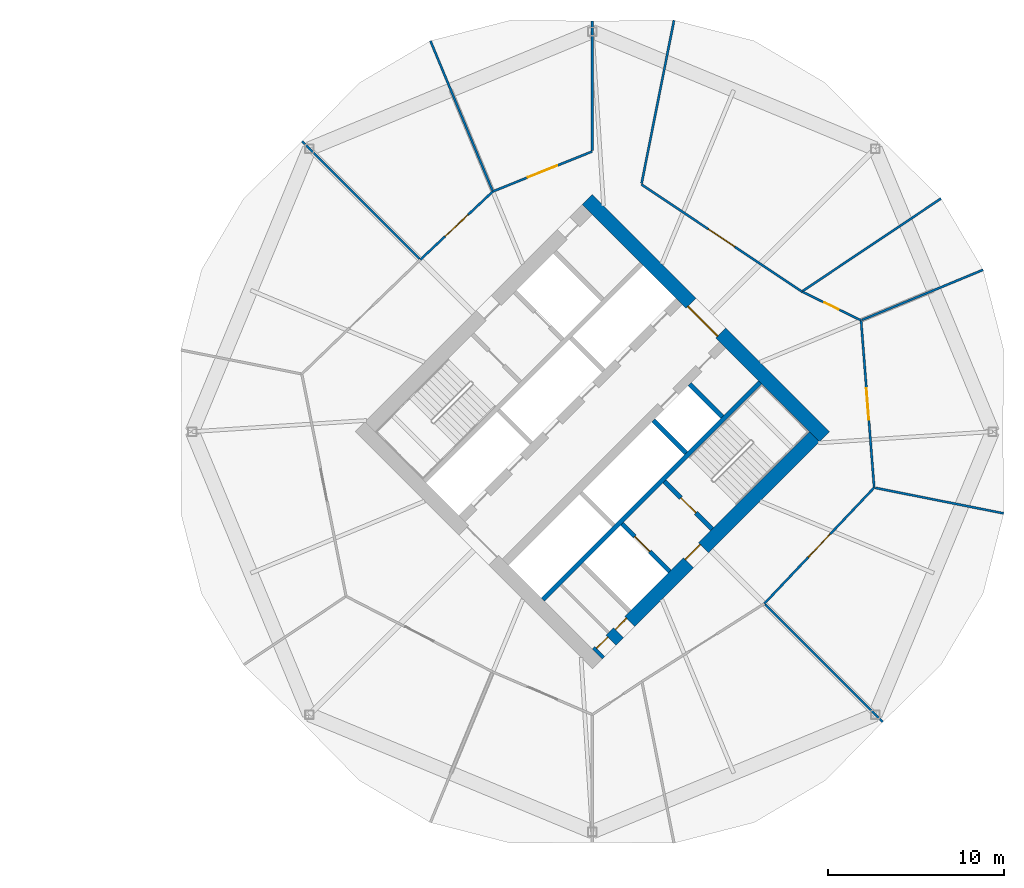
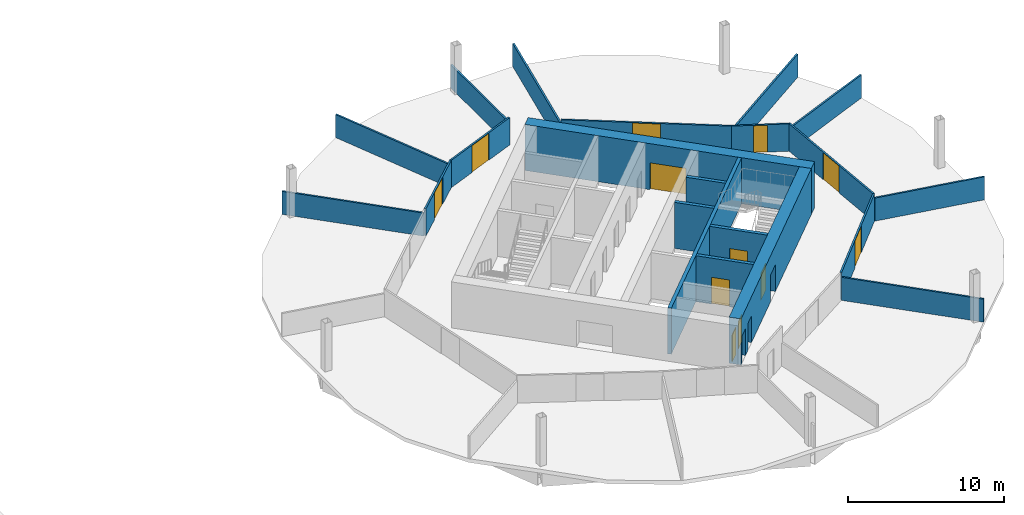
# One storey, part 7 of 9: 21 walls, 12 doors, 12 openings.
"""IFC4 building model written with IfcOpenShell, lengths in metres."""

from ifc_helpers import new_model, si_unit, direction, frame, frame_2d, origin, place, context, subcontext, project, spatial, rectangle, extrude, material, layer, layer_set, type_object, element, fill, save


model = new_model("IFC4")

# Units and contexts
model_context = context("Model", 3, precision=1e-05, world=origin(), true_north=direction((0.0, 1.0)))
body_context = subcontext(model_context, "Body", "Model", "MODEL_VIEW")
ifc_project = project(units=[si_unit("LENGTHUNIT", "METRE"), si_unit("AREAUNIT", "SQUARE_METRE"), si_unit("VOLUMEUNIT", "CUBIC_METRE"), si_unit("PLANEANGLEUNIT", "RADIAN"), si_unit("MASSUNIT", "GRAM", prefix="KILO")], contexts=[model_context])

# Site, building, storey
site_placement = place(None, origin())
site = spatial("IfcSite", under=ifc_project, at=site_placement, CompositionType="ELEMENT")
building_placement = place(site_placement, origin())
building = spatial("IfcBuilding", under=site, at=building_placement, Name="Ogive Gate Towers", CompositionType="ELEMENT")
storey_placement = place(building_placement, frame((0.0, 0.0, 91.800048828125)))
storey = spatial("IfcBuildingStorey", under=building, at=storey_placement, Name="L21", CompositionType="ELEMENT", Elevation=91.800048828125)

# Wall, openings, doors
ifc_material_1 = material(Name="Concrete C60/75", Category="concrete")
ifc_layer_1 = layer(ifc_material_1, 0.800048828125)
ifc_layer_set_1 = layer_set([ifc_layer_1], Name="Core wall 800 mm")
wall_type_1 = type_object("IfcWallType", Name="Core wall 800 mm", PredefinedType="SHEAR", material=ifc_layer_set_1)
wall_1_placement = place(storey_placement, frame((36.28271484375, -12.58642578125, 0.0), z_axis=(0.0, 0.0, 1.0), x_axis=(0.707106781187, 0.707106781187, 0.0)))
wall_1 = element("IfcWall", 1, at=wall_1_placement, inside=storey, type_object=wall_type_1, Name="T2 L21 Core wall 800 mm", PredefinedType="SHEAR", context=body_context, shape_type="SweptSolid", body=[
    extrude(rectangle(XDim=17.400146484375, YDim=0.800048828125, at=frame_2d((8.7001953125, 0.0))), origin(), (0.0, 0.0, 1.0), 3.599853515625),
])
opening_1_placement = place(wall_1_placement, frame((7.300048828125, 0.0, 0.0)))
opening_1 = element("IfcOpeningElement", 2, at=opening_1_placement, cuts=wall_1, Name="Opening KD-T2-L21-16", PredefinedType="OPENING", context=body_context, shape_type="SweptSolid", body=[
    extrude(rectangle(XDim=1.199951171875, YDim=2.10009765625, at=frame_2d((0.60009765625, 1.050048828125))), frame((0.0, 0.41015625, 0.0), z_axis=(0.0, -1.0, 0.0), x_axis=(1.0, 0.0, 0.0)), (0.0, 0.0, 1.0), 0.820068359375),
])
opening_2_placement = place(wall_1_placement, frame((0.199951171875, 0.0, 0.0)))
opening_2 = element("IfcOpeningElement", 3, at=opening_2_placement, cuts=wall_1, Name="Opening KD-T2-L21-18", PredefinedType="OPENING", context=body_context, shape_type="SweptSolid", body=[
    extrude(rectangle(XDim=0.89990234375, YDim=2.10009765625, at=frame_2d((0.449951171875, 1.050048828125))), frame((0.0, 0.41015625, 0.0), z_axis=(0.0, -1.0, 0.0), x_axis=(1.0, 0.0, 0.0)), (0.0, 0.0, 1.0), 0.820068359375),
])
opening_3_placement = place(wall_1_placement, frame((1.699951171875, 0.0, 0.0)))
opening_3 = element("IfcOpeningElement", 4, at=opening_3_placement, cuts=wall_1, Name="Opening KD-T2-L21-19", PredefinedType="OPENING", context=body_context, shape_type="SweptSolid", body=[
    extrude(rectangle(XDim=0.89990234375, YDim=2.10009765625, at=frame_2d((0.449951171875, 1.050048828125))), frame((0.0, 0.41015625, 0.0), z_axis=(0.0, -1.0, 0.0), x_axis=(1.0, 0.0, 0.0)), (0.0, 0.0, 1.0), 0.820068359375),
])
ifc_material_2 = material(Name="Timber door", Category="wood")
door_type_1 = type_object("IfcDoorType", Name="Core WC door 900 x 2100", OperationType="NOTDEFINED", PredefinedType="DOOR", material=ifc_material_2)
door_1_placement = place(opening_2_placement, origin())
door_1 = element("IfcDoor", 5, at=door_1_placement, inside=storey, type_object=door_type_1, Name="T2 L21 Core door", OperationType="SINGLE_SWING_LEFT", OverallHeight=2.10009765625, OverallWidth=0.89990234375, PredefinedType="DOOR", context=body_context, shape_type="SweptSolid", body=[
    extrude(rectangle(XDim=0.89990234375, YDim=2.10009765625, at=frame_2d((0.449951171875, 1.050048828125))), frame((0.0, 0.27490234375, 0.0), z_axis=(0.0, -1.0, 0.0), x_axis=(1.0, 0.0, 0.0)), (0.0, 0.0, 1.0), 0.050048828125),
])
fill(opening_2, door_1)
door_2_placement = place(opening_3_placement, origin())
door_2 = element("IfcDoor", 6, at=door_2_placement, inside=storey, type_object=door_type_1, Name="T2 L21 Core door", OperationType="SINGLE_SWING_RIGHT", OverallHeight=2.10009765625, OverallWidth=0.89990234375, PredefinedType="DOOR", context=body_context, shape_type="SweptSolid", body=[
    extrude(rectangle(XDim=0.89990234375, YDim=2.10009765625, at=frame_2d((0.449951171875, 1.050048828125))), frame((0.0, 0.27490234375, 0.0), z_axis=(0.0, -1.0, 0.0), x_axis=(1.0, 0.0, 0.0)), (0.0, 0.0, 1.0), 0.050048828125),
])
fill(opening_3, door_2)
ifc_material_3 = material(Name="Steel fire door", Category="steel")
door_type_2 = type_object("IfcDoorType", Name="Core door FD60S 1200 x 2100", OperationType="NOTDEFINED", PredefinedType="DOOR", material=ifc_material_3)
door_3_placement = place(opening_1_placement, origin())
door_3 = element("IfcDoor", 7, at=door_3_placement, inside=storey, type_object=door_type_2, Name="T2 L21 Fire-fighting lobby door", OperationType="SINGLE_SWING_LEFT", OverallHeight=2.10009765625, OverallWidth=1.199951171875, PredefinedType="DOOR", context=body_context, shape_type="SweptSolid", body=[
    extrude(rectangle(XDim=1.199951171875, YDim=2.10009765625, at=frame_2d((0.60009765625, 1.050048828125))), frame((0.0, 0.27490234375, 0.0), z_axis=(0.0, -1.0, 0.0), x_axis=(1.0, 0.0, 0.0)), (0.0, 0.0, 1.0), 0.050048828125),
])
fill(opening_1, door_3)

# Wall, opening, door
wall_2_placement = place(storey_placement, frame((49.152099609375, -0.28271484375, 0.0), z_axis=(0.0, 0.0, 1.0), x_axis=(-0.707106781187, 0.707106781187, 0.0)))
wall_2 = element("IfcWall", 8, at=wall_2_placement, inside=storey, type_object=wall_type_1, Name="T2 L21 Core wall 800 mm", PredefinedType="SHEAR", context=body_context, shape_type="SweptSolid", body=[
    extrude(rectangle(XDim=18.999755859375, YDim=0.800048828125, at=frame_2d((9.5, 0.0))), origin(), (0.0, 0.0, 1.0), 3.599853515625),
])
opening_4_placement = place(wall_2_placement, frame((8.300048828125, 0.0, 0.0)))
opening_4 = element("IfcOpeningElement", 9, at=opening_4_placement, cuts=wall_2, Name="Opening KD-T2-L21-02", PredefinedType="OPENING", context=body_context, shape_type="SweptSolid", body=[
    extrude(rectangle(XDim=2.39990234375, YDim=2.10009765625, at=frame_2d((1.199951171875, 1.050048828125))), frame((0.0, 0.41015625, 0.0), z_axis=(0.0, -1.0, 0.0), x_axis=(1.0, 0.0, 0.0)), (0.0, 0.0, 1.0), 0.820068359375),
])
door_type_3 = type_object("IfcDoorType", Name="Core double door FD60S 2400 x 2100", OperationType="DOUBLE_DOOR_SINGLE_SWING", PredefinedType="DOOR", material=ifc_material_3)
door_4_placement = place(opening_4_placement, origin())
door_4 = element("IfcDoor", 10, at=door_4_placement, inside=storey, type_object=door_type_3, Name="T2 L21 Core door double", OperationType="DOUBLE_DOOR_SINGLE_SWING", OverallHeight=2.10009765625, OverallWidth=2.39990234375, PredefinedType="DOOR", context=body_context, shape_type="SweptSolid", body=[
    extrude(rectangle(XDim=2.39990234375, YDim=2.10009765625, at=frame_2d((1.199951171875, 1.050048828125))), frame((0.0, 0.27490234375, 0.0), z_axis=(0.0, -1.0, 0.0), x_axis=(1.0, 0.0, 0.0)), (0.0, 0.0, 1.0), 0.050048828125),
])
fill(opening_4, door_4)

# Walls
ifc_material_4 = material(Name="Gypsum board partition")
ifc_layer_2 = layer(ifc_material_4, 0.125)
ifc_layer_set_2 = layer_set([ifc_layer_2], Name="Partition 125")
wall_type_2 = type_object("IfcWallType", Name="Partition 125", PredefinedType="PARTITIONING", material=ifc_layer_set_2)
wall_3_placement = place(storey_placement, frame((58.1455078125, 9.1728515625, 0.0), z_axis=(0.0, 0.0, 1.0), x_axis=(-0.923879380102, -0.382683800313, 0.0)))
element("IfcWall", 11, at=wall_3_placement, inside=storey, type_object=wall_type_2, Name="Partition T2-L21-001", PredefinedType="PARTITIONING", context=body_context, shape_type="SweptSolid", body=[
    extrude(rectangle(XDim=7.42529296875, YDim=0.125, at=frame_2d((3.712646484375, 0.0))), origin(), (0.0, 0.0, 1.0), 1.800048828125),
])
wall_4_placement = place(storey_placement, frame((55.759521484375, 13.2119140625, 0.0), z_axis=(0.0, 0.0, 1.0), x_axis=(-0.831300345147, -0.555823475717, 0.0)))
element("IfcWall", 12, at=wall_4_placement, inside=storey, type_object=wall_type_2, Name="Partition T2-L21-002", PredefinedType="PARTITIONING", context=body_context, shape_type="SweptSolid", body=[
    extrude(rectangle(XDim=9.42529296875, YDim=0.125, at=frame_2d((4.712646484375, 0.0))), origin(), (0.0, 0.0, 1.0), 1.800048828125),
])
wall_5_placement = place(storey_placement, frame((40.6298828125, 23.314208984375, 0.0), z_axis=(0.0, 0.0, 1.0), x_axis=(-0.194790915592, -0.980844788538, 0.0)))
element("IfcWall", 13, at=wall_5_placement, inside=storey, type_object=wall_type_2, Name="Partition T2-L21-003", PredefinedType="PARTITIONING", context=body_context, shape_type="SweptSolid", body=[
    extrude(rectangle(XDim=9.425048828125, YDim=0.125, at=frame_2d((4.71240234375, 0.0))), origin(), (0.0, 0.0, 1.0), 1.800048828125),
])
wall_6_placement = place(storey_placement, frame((36.0, 23.26904296875, 0.0), z_axis=(0.0, 0.0, 1.0), x_axis=(0.0, -1.0, 0.0)))
element("IfcWall", 14, at=wall_6_placement, inside=storey, type_object=wall_type_2, Name="Partition T2-L21-004", PredefinedType="PARTITIONING", context=body_context, shape_type="SweptSolid", body=[
    extrude(rectangle(XDim=7.32666015625, YDim=0.125, at=frame_2d((3.663330078125, 0.0))), origin(), (0.0, 0.0, 1.0), 1.800048828125),
])
wall_7_placement = place(storey_placement, frame((26.8271484375, 22.1455078125, 0.0), z_axis=(0.0, 0.0, 1.0), x_axis=(0.382685496895, -0.923878677352, 0.0)))
element("IfcWall", 15, at=wall_7_placement, inside=storey, type_object=wall_type_2, Name="Partition T2-L21-005", PredefinedType="PARTITIONING", context=body_context, shape_type="SweptSolid", body=[
    extrude(rectangle(XDim=9.17529296875, YDim=0.125, at=frame_2d((4.587646484375, 0.0))), origin(), (0.0, 0.0, 1.0), 1.800048828125),
])
for number, where, z_axis, x_axis, name in (
    (16, (19.54638671875, 16.45361328125, 0.0), (0.0, 0.0, 1.0), (0.707106781187, -0.707106781187, 0.0), "Partition T2-L21-006"),
    (17, (52.45361328125, -16.45361328125, 0.0), (0.0, 0.0, 1.0), (-0.707106781187, 0.707106781187, 0.0), "Partition T2-L21-012"),
):
    element("IfcWall", number, at=place(storey_placement, frame(where, z_axis=z_axis, x_axis=x_axis)), inside=storey, type_object=wall_type_2, Name=name, PredefinedType="PARTITIONING", context=body_context, shape_type="SweptSolid", body=[
        extrude(rectangle(XDim=9.425048828125, YDim=0.125, at=frame_2d((4.71240234375, 0.0))), origin(), (0.0, 0.0, 1.0), 1.800048828125),
    ])
wall_8_placement = place(storey_placement, frame((59.314208984375, -4.6298828125, 0.0), z_axis=(0.0, 0.0, 1.0), x_axis=(-0.980846602805, 0.19478177986, 0.0)))
element("IfcWall", 18, at=wall_8_placement, inside=storey, type_object=wall_type_2, Name="Partition T2-L21-013", PredefinedType="PARTITIONING", context=body_context, shape_type="SweptSolid", body=[
    extrude(rectangle(XDim=7.42529296875, YDim=0.125, at=frame_2d((3.712646484375, 0.0))), origin(), (0.0, 0.0, 1.0), 1.800048828125),
])

# Wall, opening, door
wall_9_placement = place(storey_placement, frame((36.0, 15.8798828125, 0.0), z_axis=(0.0, 0.0, 1.0), x_axis=(-0.927682193626, -0.373370791077, 0.0)))
wall_9 = element("IfcWall", 19, at=wall_9_placement, inside=storey, type_object=wall_type_2, Name="Partition T2-L21-014", PredefinedType="PARTITIONING", context=body_context, shape_type="SweptSolid", body=[
    extrude(rectangle(XDim=6.0771484375, YDim=0.125, at=frame_2d((3.03857421875, 0.0))), origin(), (0.0, 0.0, 1.0), 2.139892578125),
])
opening_5_placement = place(wall_9_placement, frame((2.138916015625, 0.0, 0.0)))
opening_5 = element("IfcOpeningElement", 20, at=opening_5_placement, cuts=wall_9, Name="Opening T2-L21-D01", PredefinedType="OPENING", context=body_context, shape_type="SweptSolid", body=[
    extrude(rectangle(XDim=1.800048828125, YDim=2.10009765625, at=frame_2d((0.89990234375, 1.050048828125))), frame((0.0, 0.072509765625, 0.0), z_axis=(0.0, -1.0, 0.0), x_axis=(1.0, 0.0, 0.0)), (0.0, 0.0, 1.0), 0.14501953125),
])
door_type_4 = type_object("IfcDoorType", Name="Door pair 1800", OperationType="NOTDEFINED", PredefinedType="DOOR", material=ifc_material_2)
door_5_placement = place(opening_5_placement, origin())
door_5 = element("IfcDoor", 21, at=door_5_placement, inside=storey, type_object=door_type_4, Name="Door T2-L21-D01", OperationType="DOUBLE_DOOR_DOUBLE_SWING", OverallHeight=2.10009765625, OverallWidth=1.800048828125, PredefinedType="DOOR", context=body_context, shape_type="SweptSolid", body=[
    extrude(rectangle(XDim=1.800048828125, YDim=2.10009765625, at=frame_2d((0.89990234375, 1.050048828125))), frame((0.0, 0.02490234375, 0.0), z_axis=(0.0, -1.0, 0.0), x_axis=(1.0, 0.0, 0.0)), (0.0, 0.0, 1.0), 0.050048828125),
])
fill(opening_5, door_5)

wall_10_placement = place(storey_placement, frame((30.3623046875, 13.61083984375, 0.0), z_axis=(0.0, 0.0, 1.0), x_axis=(-0.728165682311, -0.685401151958, 0.0)))
wall_10 = element("IfcWall", 22, at=wall_10_placement, inside=storey, type_object=wall_type_2, Name="Partition T2-L21-015", PredefinedType="PARTITIONING", context=body_context, shape_type="SweptSolid", body=[
    extrude(rectangle(XDim=5.640380859375, YDim=0.125, at=frame_2d((2.8203125, 0.0))), origin(), (0.0, 0.0, 1.0), 2.139892578125),
])
opening_6_placement = place(wall_10_placement, frame((1.919921875, 0.0, 0.0)))
opening_6 = element("IfcOpeningElement", 23, at=opening_6_placement, cuts=wall_10, Name="Opening T2-L21-D02", PredefinedType="OPENING", context=body_context, shape_type="SweptSolid", body=[
    extrude(rectangle(XDim=1.800048828125, YDim=2.10009765625, at=frame_2d((0.89990234375, 1.050048828125))), frame((0.0, 0.072509765625, 0.0), z_axis=(0.0, -1.0, 0.0), x_axis=(1.0, 0.0, 0.0)), (0.0, 0.0, 1.0), 0.14501953125),
])
door_6_placement = place(opening_6_placement, origin())
door_6 = element("IfcDoor", 24, at=door_6_placement, inside=storey, type_object=door_type_4, Name="Door T2-L21-D02", OperationType="DOUBLE_DOOR_DOUBLE_SWING", OverallHeight=2.10009765625, OverallWidth=1.800048828125, PredefinedType="DOOR", context=body_context, shape_type="SweptSolid", body=[
    extrude(rectangle(XDim=1.800048828125, YDim=2.10009765625, at=frame_2d((0.89990234375, 1.050048828125))), frame((0.0, 0.02490234375, 0.0), z_axis=(0.0, -1.0, 0.0), x_axis=(1.0, 0.0, 0.0)), (0.0, 0.0, 1.0), 0.050048828125),
])
fill(opening_6, door_6)

wall_11_placement = place(storey_placement, frame((45.744873046875, -9.744873046875, 0.0), z_axis=(0.0, 0.0, 1.0), x_axis=(0.687604013042, 0.726085891096, 0.0)))
wall_11 = element("IfcWall", 25, at=wall_11_placement, inside=storey, type_object=wall_type_2, Name="Partition T2-L21-022", PredefinedType="PARTITIONING", context=body_context, shape_type="SweptSolid", body=[
    extrude(rectangle(XDim=9.05322265625, YDim=0.125, at=frame_2d((4.526611328125, 0.0))), origin(), (0.0, 0.0, 1.0), 2.139892578125),
])
opening_7_placement = place(wall_11_placement, frame((3.626953125, 0.0, 0.0)))
opening_7 = element("IfcOpeningElement", 26, at=opening_7_placement, cuts=wall_11, Name="Opening T2-L21-D09", PredefinedType="OPENING", context=body_context, shape_type="SweptSolid", body=[
    extrude(rectangle(XDim=1.800048828125, YDim=2.10009765625, at=frame_2d((0.89990234375, 1.050048828125))), frame((0.0, 0.072509765625, 0.0), z_axis=(0.0, -1.0, 0.0), x_axis=(1.0, 0.0, 0.0)), (0.0, 0.0, 1.0), 0.14501953125),
])
door_7_placement = place(opening_7_placement, origin())
door_7 = element("IfcDoor", 27, at=door_7_placement, inside=storey, type_object=door_type_4, Name="Door T2-L21-D09", OperationType="DOUBLE_DOOR_DOUBLE_SWING", OverallHeight=2.10009765625, OverallWidth=1.800048828125, PredefinedType="DOOR", context=body_context, shape_type="SweptSolid", body=[
    extrude(rectangle(XDim=1.800048828125, YDim=2.10009765625, at=frame_2d((0.89990234375, 1.050048828125))), frame((0.0, 0.02490234375, 0.0), z_axis=(0.0, -1.0, 0.0), x_axis=(1.0, 0.0, 0.0)), (0.0, 0.0, 1.0), 0.050048828125),
])
fill(opening_7, door_7)

wall_12_placement = place(storey_placement, frame((51.969970703125, -3.17138671875, 0.0), z_axis=(0.0, 0.0, 1.0), x_axis=(-0.078084660051, 0.996946731709, 0.0)))
wall_12 = element("IfcWall", 28, at=wall_12_placement, inside=storey, type_object=wall_type_2, Name="Partition T2-L21-023", PredefinedType="PARTITIONING", context=body_context, shape_type="SweptSolid", body=[
    extrude(rectangle(XDim=9.508056640625, YDim=0.125, at=frame_2d((4.75390625, 0.0))), origin(), (0.0, 0.0, 1.0), 2.139892578125),
])
opening_8_placement = place(wall_12_placement, frame((3.85400390625, 0.0, 0.0)))
opening_8 = element("IfcOpeningElement", 29, at=opening_8_placement, cuts=wall_12, Name="Opening T2-L21-D10", PredefinedType="OPENING", context=body_context, shape_type="SweptSolid", body=[
    extrude(rectangle(XDim=1.800048828125, YDim=2.10009765625, at=frame_2d((0.89990234375, 1.050048828125))), frame((0.0, 0.072509765625, 0.0), z_axis=(0.0, -1.0, 0.0), x_axis=(1.0, 0.0, 0.0)), (0.0, 0.0, 1.0), 0.14501953125),
])
door_8_placement = place(opening_8_placement, origin())
door_8 = element("IfcDoor", 30, at=door_8_placement, inside=storey, type_object=door_type_4, Name="Door T2-L21-D10", OperationType="DOUBLE_DOOR_DOUBLE_SWING", OverallHeight=2.10009765625, OverallWidth=1.800048828125, PredefinedType="DOOR", context=body_context, shape_type="SweptSolid", body=[
    extrude(rectangle(XDim=1.800048828125, YDim=2.10009765625, at=frame_2d((0.89990234375, 1.050048828125))), frame((0.0, 0.02490234375, 0.0), z_axis=(0.0, -1.0, 0.0), x_axis=(1.0, 0.0, 0.0)), (0.0, 0.0, 1.0), 0.050048828125),
])
fill(opening_8, door_8)

wall_13_placement = place(storey_placement, frame((51.2275390625, 6.3076171875, 0.0), z_axis=(0.0, 0.0, 1.0), x_axis=(-0.89937142821, 0.43718535442, 0.0)))
wall_13 = element("IfcWall", 31, at=wall_13_placement, inside=storey, type_object=wall_type_2, Name="Partition T2-L21-024", PredefinedType="PARTITIONING", context=body_context, shape_type="SweptSolid", body=[
    extrude(rectangle(XDim=3.73046875, YDim=0.125, at=frame_2d((1.865234375, 0.0))), origin(), (0.0, 0.0, 1.0), 2.139892578125),
])
opening_9_placement = place(wall_13_placement, frame((1.4150390625, 0.0, 0.0)))
opening_9 = element("IfcOpeningElement", 32, at=opening_9_placement, cuts=wall_13, Name="Opening T2-L21-D11", PredefinedType="OPENING", context=body_context, shape_type="SweptSolid", body=[
    extrude(rectangle(XDim=0.89990234375, YDim=2.10009765625, at=frame_2d((0.449951171875, 1.050048828125))), frame((0.0, 0.072509765625, 0.0), z_axis=(0.0, -1.0, 0.0), x_axis=(1.0, 0.0, 0.0)), (0.0, 0.0, 1.0), 0.14501953125),
])
door_type_5 = type_object("IfcDoorType", Name="Door 900", OperationType="NOTDEFINED", PredefinedType="DOOR", material=ifc_material_2)
door_9_placement = place(opening_9_placement, origin())
door_9 = element("IfcDoor", 33, at=door_9_placement, inside=storey, type_object=door_type_5, Name="Door T2-L21-D11", OperationType="SINGLE_SWING_LEFT", OverallHeight=2.10009765625, OverallWidth=0.89990234375, PredefinedType="DOOR", context=body_context, shape_type="SweptSolid", body=[
    extrude(rectangle(XDim=0.89990234375, YDim=2.10009765625, at=frame_2d((0.449951171875, 1.050048828125))), frame((0.0, 0.02490234375, 0.0), z_axis=(0.0, -1.0, 0.0), x_axis=(1.0, 0.0, 0.0)), (0.0, 0.0, 1.0), 0.050048828125),
])
fill(opening_9, door_9)

wall_14_placement = place(storey_placement, frame((47.87255859375, 7.9384765625, 0.0), z_axis=(0.0, 0.0, 1.0), x_axis=(-0.831658368955, 0.555287634788, 0.0)))
wall_14 = element("IfcWall", 34, at=wall_14_placement, inside=storey, type_object=wall_type_2, Name="Partition T2-L21-025", PredefinedType="PARTITIONING", context=body_context, shape_type="SweptSolid", body=[
    extrude(rectangle(XDim=10.930908203125, YDim=0.125, at=frame_2d((5.46533203125, 0.0))), origin(), (0.0, 0.0, 1.0), 2.139892578125),
])
opening_10_placement = place(wall_14_placement, frame((4.56494140625, 0.0, 0.0)))
opening_10 = element("IfcOpeningElement", 35, at=opening_10_placement, cuts=wall_14, Name="Opening T2-L21-D12", PredefinedType="OPENING", context=body_context, shape_type="SweptSolid", body=[
    extrude(rectangle(XDim=1.800048828125, YDim=2.10009765625, at=frame_2d((0.89990234375, 1.050048828125))), frame((0.0, 0.072509765625, 0.0), z_axis=(0.0, -1.0, 0.0), x_axis=(1.0, 0.0, 0.0)), (0.0, 0.0, 1.0), 0.14501953125),
])
door_10_placement = place(opening_10_placement, origin())
door_10 = element("IfcDoor", 36, at=door_10_placement, inside=storey, type_object=door_type_4, Name="Door T2-L21-D12", OperationType="DOUBLE_DOOR_DOUBLE_SWING", OverallHeight=2.10009765625, OverallWidth=1.800048828125, PredefinedType="DOOR", context=body_context, shape_type="SweptSolid", body=[
    extrude(rectangle(XDim=1.800048828125, YDim=2.10009765625, at=frame_2d((0.89990234375, 1.050048828125))), frame((0.0, 0.02490234375, 0.0), z_axis=(0.0, -1.0, 0.0), x_axis=(1.0, 0.0, 0.0)), (0.0, 0.0, 1.0), 0.050048828125),
])
fill(opening_10, door_10)

# Wall
ifc_layer_3 = layer(ifc_material_1, 0.25)
ifc_layer_set_3 = layer_set([ifc_layer_3], Name="Shaft wall 250 mm")
wall_type_3 = type_object("IfcWallType", Name="Shaft wall 250 mm", PredefinedType="SHEAR", material=ifc_layer_set_3)
wall_15_placement = place(storey_placement, frame((33.206787109375, -9.510498046875, 0.0), z_axis=(0.0, 0.0, 1.0), x_axis=(0.707106781187, 0.707106781187, 0.0)))
element("IfcWall", 37, at=wall_15_placement, inside=storey, type_object=wall_type_3, Name="T2 L21 Shaft wall 250 mm", PredefinedType="SHEAR", context=body_context, shape_type="SweptSolid", body=[
    extrude(rectangle(XDim=17.400146484375, YDim=0.25, at=frame_2d((8.7001953125, 0.0))), origin(), (0.0, 0.0, 1.0), 3.599853515625),
])

# Wall, opening, door
wall_16_placement = place(storey_placement, frame((40.384033203125, -7.919677734375, 0.0), z_axis=(0.0, 0.0, 1.0), x_axis=(-0.707074866995, 0.707138693938, 0.0)))
wall_16 = element("IfcWall", 38, at=wall_16_placement, inside=storey, type_object=wall_type_3, Name="T2 L21 Shaft wall 250 mm", PredefinedType="SHEAR", context=body_context, shape_type="SweptSolid", body=[
    extrude(rectangle(XDim=3.824951171875, YDim=0.25, at=frame_2d((1.91259765625, 0.0))), origin(), (0.0, 0.0, 1.0), 3.599853515625),
])
opening_11_placement = place(wall_16_placement, frame((1.60009765625, 0.0, 0.0)))
opening_11 = element("IfcOpeningElement", 39, at=opening_11_placement, cuts=wall_16, Name="Opening LD-T2-L21-11", PredefinedType="OPENING", context=body_context, shape_type="SweptSolid", body=[
    extrude(rectangle(XDim=1.199951171875, YDim=2.10009765625, at=frame_2d((0.60009765625, 1.050048828125))), frame((0.0, 0.135009765625, 0.0), z_axis=(0.0, -1.0, 0.0), x_axis=(1.0, 0.0, 0.0)), (0.0, 0.0, 1.0), 0.27001953125),
])
ifc_material_5 = material(Name="Stainless steel landing door", Category="steel")
door_type_6 = type_object("IfcDoorType", Name="Landing door 1200 x 2100", OperationType="SLIDING_TO_LEFT", PredefinedType="DOOR", material=ifc_material_5)
door_11_placement = place(opening_11_placement, origin())
door_11 = element("IfcDoor", 40, at=door_11_placement, inside=storey, type_object=door_type_6, Name="T2 L21 Lift landing door FF2", OperationType="SLIDING_TO_LEFT", OverallHeight=2.10009765625, OverallWidth=1.199951171875, PredefinedType="DOOR", context=body_context, shape_type="SweptSolid", body=[
    extrude(rectangle(XDim=1.199951171875, YDim=2.10009765625, at=frame_2d((0.60009765625, 1.050048828125))), frame((0.0, 0.02490234375, 0.0), z_axis=(0.0, -1.0, 0.0), x_axis=(1.0, 0.0, 0.0)), (0.0, 0.0, 1.0), 0.050048828125),
])
fill(opening_11, door_11)

wall_17_placement = place(storey_placement, frame((42.7880859375, -5.515380859375, 0.0), z_axis=(0.0, 0.0, 1.0), x_axis=(-0.707106781187, 0.707106781187, 0.0)))
wall_17 = element("IfcWall", 41, at=wall_17_placement, inside=storey, type_object=wall_type_3, Name="T2 L21 Shaft wall 250 mm", PredefinedType="SHEAR", context=body_context, shape_type="SweptSolid", body=[
    extrude(rectangle(XDim=3.824951171875, YDim=0.25, at=frame_2d((1.91259765625, 0.0))), origin(), (0.0, 0.0, 1.0), 3.599853515625),
])
opening_12_placement = place(wall_17_placement, frame((1.300048828125, 0.0, 0.0)))
opening_12 = element("IfcOpeningElement", 42, at=opening_12_placement, cuts=wall_17, Name="Opening KD-T2-L21-14", PredefinedType="OPENING", context=body_context, shape_type="SweptSolid", body=[
    extrude(rectangle(XDim=1.199951171875, YDim=2.10009765625, at=frame_2d((0.60009765625, 1.050048828125))), frame((0.0, 0.135009765625, 0.0), z_axis=(0.0, -1.0, 0.0), x_axis=(1.0, 0.0, 0.0)), (0.0, 0.0, 1.0), 0.27001953125),
])
door_12_placement = place(opening_12_placement, origin())
door_12 = element("IfcDoor", 43, at=door_12_placement, inside=storey, type_object=door_type_2, Name="T2 L21 Stair door", OperationType="SINGLE_SWING_LEFT", OverallHeight=2.10009765625, OverallWidth=1.199951171875, PredefinedType="DOOR", context=body_context, shape_type="SweptSolid", body=[
    extrude(rectangle(XDim=1.199951171875, YDim=2.10009765625, at=frame_2d((0.60009765625, 1.050048828125))), frame((0.0, 0.02490234375, 0.0), z_axis=(0.0, -1.0, 0.0), x_axis=(1.0, 0.0, 0.0)), (0.0, 0.0, 1.0), 0.050048828125),
])
fill(opening_12, door_12)

# Walls
for number, where, z_axis, x_axis, name in (
    (44, (41.321044921875, -1.2197265625, 0.0), (0.0, 0.0, 1.0), (-0.707106781187, 0.707106781187, 0.0), "T2 L21 Shaft wall 250 mm"),
    (45, (43.37158203125, 0.830810546875, 0.0), (0.0, 0.0, 1.0), (-0.707106781187, 0.707106781187, 0.0), "T2 L21 Shaft wall 250 mm"),
):
    element("IfcWall", number, at=place(storey_placement, frame(where, z_axis=z_axis, x_axis=x_axis)), inside=storey, type_object=wall_type_3, Name=name, PredefinedType="SHEAR", context=body_context, shape_type="SweptSolid", body=[
        extrude(rectangle(XDim=2.625, YDim=0.25, at=frame_2d((1.3125, 0.0))), origin(), (0.0, 0.0, 1.0), 3.599853515625),
    ])

save(model, "model.ifc")
